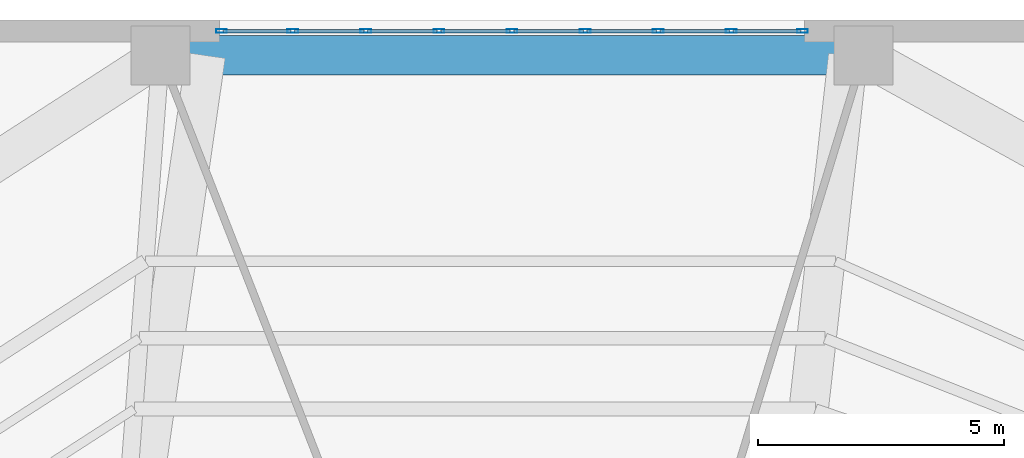
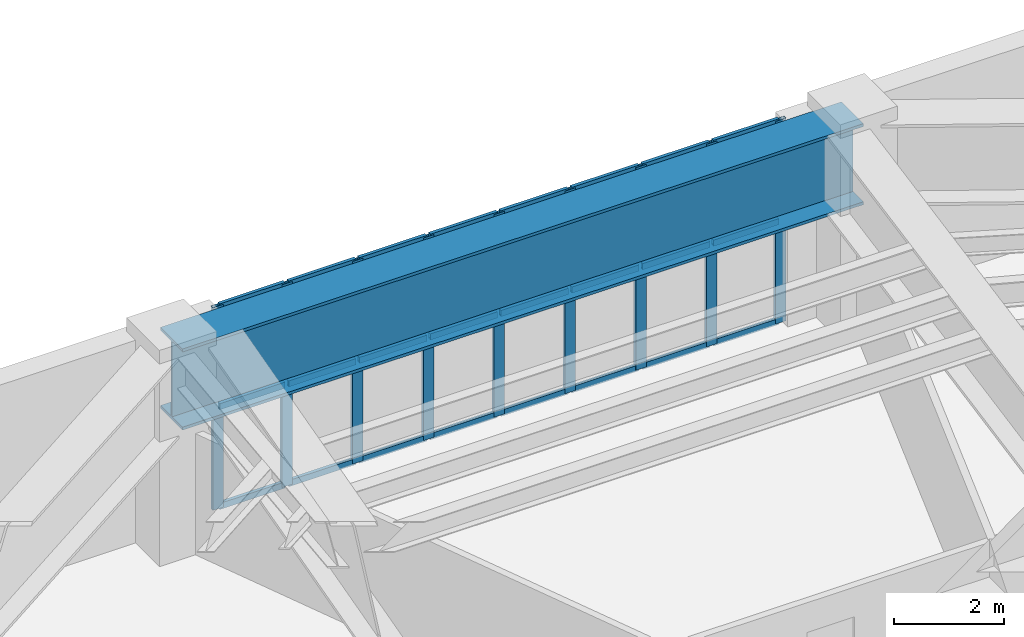
# One storey, part 13 of 22: 33 members, 1 beam, 1 element without a shape of its own.
"""IFC4 building model written with IfcOpenShell, lengths in metres."""

from ifc_helpers import new_model, si_unit, direction, frame, origin, origin_2d, place, context, subcontext, project, spatial, hollow_rectangle, i_section, extrude, material, layer, layer_set, material_profile, profile_set, type_object, element, aggregate, save


model = new_model("IFC4")

# Units and contexts
model_context = context("Model", 3, precision=1e-05, world=origin(), true_north=direction((0.0, 1.0)))
body_context = subcontext(model_context, "Body", "Model", "MODEL_VIEW")
ifc_project = project(units=[si_unit("LENGTHUNIT", "METRE"), si_unit("AREAUNIT", "SQUARE_METRE"), si_unit("VOLUMEUNIT", "CUBIC_METRE"), si_unit("PLANEANGLEUNIT", "RADIAN"), si_unit("MASSUNIT", "GRAM", prefix="KILO")], contexts=[model_context])

# Site, building, storey
site_placement = place(None, origin())
site = spatial("IfcSite", under=ifc_project, at=site_placement, CompositionType="ELEMENT")
building_placement = place(site_placement, origin())
building = spatial("IfcBuilding", under=site, at=building_placement, Name="Kilnhurst Terrace Hotel", CompositionType="ELEMENT")
storey_placement = place(building_placement, frame((0.0, 0.0, 139.5)))
storey = spatial("IfcBuildingStorey", under=building, at=storey_placement, Name="L34", CompositionType="ELEMENT", Elevation=139.5)

# Curtain wall, members
ifc_material_1 = material(Name="Anodized Aluminium Alloy 6063-T6 and Low-E Glass", Category="aluminium")
ifc_layer = layer(ifc_material_1, 0.219970703125, Name="Anodized Aluminium Alloy 6063-T6 and Low-E Glass")
ifc_layer_set = layer_set([ifc_layer], Name="Anodized Aluminium Alloy 6063-T6 and Low-E Glass")
curtain_wall_type = type_object("IfcCurtainWallType", Name="CW-SKY-L34", PredefinedType="NOTDEFINED", material=ifc_layer_set)
curtain_wall_placement = place(storey_placement, origin())
curtain_wall = element("IfcCurtainWall", 1, at=curtain_wall_placement, inside=storey, type_object=curtain_wall_type, Name="L34 Curtain Wall CW-L34-F4-1", PredefinedType="NOTDEFINED")
ifc_material_2 = material(Name="Extruded Aluminium Alloy 6063-T6", Category="aluminium")
ifc_material_profile_1 = material_profile(ifc_material_2, hollow_rectangle(XDim=0.074951171875, YDim=0.219970703125, WallThickness=0.00390625, at=origin_2d()), Name="CWM75X220")
ifc_profile_set_1 = profile_set([ifc_material_profile_1], Name="Extruded Aluminium Alloy 6063-T6")
member_type_1 = type_object("IfcMemberType", Name="MEM-CWM75X220", PredefinedType="MULLION", material=ifc_profile_set_1)
member_1_placement = place(storey_placement, frame((5.028564453125, 21.074951171875, 0.0), z_axis=(0.0, 0.0, 1.0), x_axis=(0.0, -1.0, 0.0)))
member_1 = element("IfcMember", 2, at=member_1_placement, type_object=member_type_1, Name="CWS-3 mullion 1", PredefinedType="MULLION", context=body_context, shape_type="SweptSolid", body=[
    extrude(hollow_rectangle(XDim=0.074951171875, YDim=0.219970703125, WallThickness=0.00390625, at=origin_2d()), origin(), (0.0, 0.0, 1.0), 4.5),
])
member_2_placement = place(storey_placement, frame((3.57958984375, 21.074951171875, 0.0), z_axis=(0.0, 0.0, 1.0), x_axis=(0.0, -1.0, 0.0)))
member_2 = element("IfcMember", 3, at=member_2_placement, type_object=member_type_1, Name="CWS-3 mullion 2", PredefinedType="MULLION", context=body_context, shape_type="SweptSolid", body=[
    extrude(hollow_rectangle(XDim=0.074951171875, YDim=0.219970703125, WallThickness=0.00390625, at=origin_2d()), origin(), (0.0, 0.0, 1.0), 4.5),
])
member_3_placement = place(storey_placement, frame((2.09326171875, 21.074951171875, 0.0), z_axis=(0.0, 0.0, 1.0), x_axis=(0.0, -1.0, 0.0)))
member_3 = element("IfcMember", 4, at=member_3_placement, type_object=member_type_1, Name="CWS-3 mullion 3", PredefinedType="MULLION", context=body_context, shape_type="SweptSolid", body=[
    extrude(hollow_rectangle(XDim=0.074951171875, YDim=0.219970703125, WallThickness=0.00390625, at=origin_2d()), origin(), (0.0, 0.0, 1.0), 4.5),
])
member_4_placement = place(storey_placement, frame((0.60693359375, 21.074951171875, 0.0), z_axis=(0.0, 0.0, 1.0), x_axis=(0.0, -1.0, 0.0)))
member_4 = element("IfcMember", 5, at=member_4_placement, type_object=member_type_1, Name="CWS-3 mullion 4", PredefinedType="MULLION", context=body_context, shape_type="SweptSolid", body=[
    extrude(hollow_rectangle(XDim=0.074951171875, YDim=0.219970703125, WallThickness=0.00390625, at=origin_2d()), origin(), (0.0, 0.0, 1.0), 4.5),
])
member_5_placement = place(storey_placement, frame((-0.87939453125, 21.074951171875, 0.0), z_axis=(0.0, 0.0, 1.0), x_axis=(0.0, -1.0, 0.0)))
member_5 = element("IfcMember", 6, at=member_5_placement, type_object=member_type_1, Name="CWS-3 mullion 5", PredefinedType="MULLION", context=body_context, shape_type="SweptSolid", body=[
    extrude(hollow_rectangle(XDim=0.074951171875, YDim=0.219970703125, WallThickness=0.00390625, at=origin_2d()), origin(), (0.0, 0.0, 1.0), 4.5),
])
member_6_placement = place(storey_placement, frame((-2.365966796875, 21.074951171875, 0.0), z_axis=(0.0, 0.0, 1.0), x_axis=(0.0, -1.0, 0.0)))
member_6 = element("IfcMember", 7, at=member_6_placement, type_object=member_type_1, Name="CWS-3 mullion 6", PredefinedType="MULLION", context=body_context, shape_type="SweptSolid", body=[
    extrude(hollow_rectangle(XDim=0.074951171875, YDim=0.219970703125, WallThickness=0.00390625, at=origin_2d()), origin(), (0.0, 0.0, 1.0), 4.5),
])
member_7_placement = place(storey_placement, frame((-3.852294921875, 21.074951171875, 0.0), z_axis=(0.0, 0.0, 1.0), x_axis=(0.0, -1.0, 0.0)))
member_7 = element("IfcMember", 8, at=member_7_placement, type_object=member_type_1, Name="CWS-3 mullion 7", PredefinedType="MULLION", context=body_context, shape_type="SweptSolid", body=[
    extrude(hollow_rectangle(XDim=0.074951171875, YDim=0.219970703125, WallThickness=0.00390625, at=origin_2d()), origin(), (0.0, 0.0, 1.0), 4.5),
])
member_8_placement = place(storey_placement, frame((-5.338623046875, 21.074951171875, 0.0), z_axis=(0.0, 0.0, 1.0), x_axis=(0.0, -1.0, 0.0)))
member_8 = element("IfcMember", 9, at=member_8_placement, type_object=member_type_1, Name="CWS-3 mullion 8", PredefinedType="MULLION", context=body_context, shape_type="SweptSolid", body=[
    extrude(hollow_rectangle(XDim=0.074951171875, YDim=0.219970703125, WallThickness=0.00390625, at=origin_2d()), origin(), (0.0, 0.0, 1.0), 4.5),
])
member_9_placement = place(storey_placement, frame((-6.78759765625, 21.074951171875, 0.0), z_axis=(0.0, 0.0, 1.0), x_axis=(0.0, -1.0, 0.0)))
member_9 = element("IfcMember", 10, at=member_9_placement, type_object=member_type_1, Name="CWS-3 mullion 9", PredefinedType="MULLION", context=body_context, shape_type="SweptSolid", body=[
    extrude(hollow_rectangle(XDim=0.074951171875, YDim=0.219970703125, WallThickness=0.00390625, at=origin_2d()), origin(), (0.0, 0.0, 1.0), 4.5),
])
ifc_material_profile_2 = material_profile(ifc_material_2, hollow_rectangle(XDim=0.070068359375, YDim=0.135009765625, WallThickness=0.00390625, at=origin_2d()), Name="CWT70X135")
ifc_profile_set_2 = profile_set([ifc_material_profile_2], Name="Extruded Aluminium Alloy 6063-T6")
member_type_2 = type_object("IfcMemberType", Name="MEM-CWT70X135", PredefinedType="USERDEFINED", material=ifc_profile_set_2)
member_10_placement = place(storey_placement, frame((4.990966796875, 21.074951171875, 0.034912109375), z_axis=(-1.0, 0.0, 0.0), x_axis=(0.0, -1.0, 0.0)))
member_10 = element("IfcMember", 11, at=member_10_placement, type_object=member_type_2, Name="CWS-3 transom 1.1", ObjectType="TRANSOM", PredefinedType="USERDEFINED", context=body_context, shape_type="SweptSolid", body=[
    extrude(hollow_rectangle(XDim=0.070068359375, YDim=0.135009765625, WallThickness=0.00390625, at=origin_2d()), origin(), (0.0, 0.0, 1.0), 1.373779296875),
])
member_11_placement = place(storey_placement, frame((4.990966796875, 21.074951171875, 2.25), z_axis=(-1.0, 0.0, 0.0), x_axis=(0.0, -1.0, 0.0)))
member_11 = element("IfcMember", 12, at=member_11_placement, type_object=member_type_2, Name="CWS-3 transom 1.2", ObjectType="TRANSOM", PredefinedType="USERDEFINED", context=body_context, shape_type="SweptSolid", body=[
    extrude(hollow_rectangle(XDim=0.070068359375, YDim=0.135009765625, WallThickness=0.00390625, at=origin_2d()), origin(), (0.0, 0.0, 1.0), 1.373779296875),
])
member_12_placement = place(storey_placement, frame((4.990966796875, 21.074951171875, 4.465087890625), z_axis=(-1.0, 0.0, 0.0), x_axis=(0.0, -1.0, 0.0)))
member_12 = element("IfcMember", 13, at=member_12_placement, type_object=member_type_2, Name="CWS-3 transom 1.3", ObjectType="TRANSOM", PredefinedType="USERDEFINED", context=body_context, shape_type="SweptSolid", body=[
    extrude(hollow_rectangle(XDim=0.070068359375, YDim=0.135009765625, WallThickness=0.00390625, at=origin_2d()), origin(), (0.0, 0.0, 1.0), 1.373779296875),
])
member_13_placement = place(storey_placement, frame((3.542236328125, 21.074951171875, 0.034912109375), z_axis=(-1.0, 0.0, 0.0), x_axis=(0.0, -1.0, 0.0)))
member_13 = element("IfcMember", 14, at=member_13_placement, type_object=member_type_2, Name="CWS-3 transom 2.1", ObjectType="TRANSOM", PredefinedType="USERDEFINED", context=body_context, shape_type="SweptSolid", body=[
    extrude(hollow_rectangle(XDim=0.070068359375, YDim=0.135009765625, WallThickness=0.00390625, at=origin_2d()), origin(), (0.0, 0.0, 1.0), 1.411376953125),
])
member_14_placement = place(storey_placement, frame((3.542236328125, 21.074951171875, 2.25), z_axis=(-1.0, 0.0, 0.0), x_axis=(0.0, -1.0, 0.0)))
member_14 = element("IfcMember", 15, at=member_14_placement, type_object=member_type_2, Name="CWS-3 transom 2.2", ObjectType="TRANSOM", PredefinedType="USERDEFINED", context=body_context, shape_type="SweptSolid", body=[
    extrude(hollow_rectangle(XDim=0.070068359375, YDim=0.135009765625, WallThickness=0.00390625, at=origin_2d()), origin(), (0.0, 0.0, 1.0), 1.411376953125),
])
member_15_placement = place(storey_placement, frame((3.542236328125, 21.074951171875, 4.465087890625), z_axis=(-1.0, 0.0, 0.0), x_axis=(0.0, -1.0, 0.0)))
member_15 = element("IfcMember", 16, at=member_15_placement, type_object=member_type_2, Name="CWS-3 transom 2.3", ObjectType="TRANSOM", PredefinedType="USERDEFINED", context=body_context, shape_type="SweptSolid", body=[
    extrude(hollow_rectangle(XDim=0.070068359375, YDim=0.135009765625, WallThickness=0.00390625, at=origin_2d()), origin(), (0.0, 0.0, 1.0), 1.411376953125),
])
member_16_placement = place(storey_placement, frame((2.0556640625, 21.074951171875, 0.034912109375), z_axis=(-1.0, 0.0, 0.0), x_axis=(0.0, -1.0, 0.0)))
member_16 = element("IfcMember", 17, at=member_16_placement, type_object=member_type_2, Name="CWS-3 transom 3.1", ObjectType="TRANSOM", PredefinedType="USERDEFINED", context=body_context, shape_type="SweptSolid", body=[
    extrude(hollow_rectangle(XDim=0.070068359375, YDim=0.135009765625, WallThickness=0.00390625, at=origin_2d()), origin(), (0.0, 0.0, 1.0), 1.411376953125),
])
member_17_placement = place(storey_placement, frame((2.0556640625, 21.074951171875, 2.25), z_axis=(-1.0, 0.0, 0.0), x_axis=(0.0, -1.0, 0.0)))
member_17 = element("IfcMember", 18, at=member_17_placement, type_object=member_type_2, Name="CWS-3 transom 3.2", ObjectType="TRANSOM", PredefinedType="USERDEFINED", context=body_context, shape_type="SweptSolid", body=[
    extrude(hollow_rectangle(XDim=0.070068359375, YDim=0.135009765625, WallThickness=0.00390625, at=origin_2d()), origin(), (0.0, 0.0, 1.0), 1.411376953125),
])
member_18_placement = place(storey_placement, frame((2.0556640625, 21.074951171875, 4.465087890625), z_axis=(-1.0, 0.0, 0.0), x_axis=(0.0, -1.0, 0.0)))
member_18 = element("IfcMember", 19, at=member_18_placement, type_object=member_type_2, Name="CWS-3 transom 3.3", ObjectType="TRANSOM", PredefinedType="USERDEFINED", context=body_context, shape_type="SweptSolid", body=[
    extrude(hollow_rectangle(XDim=0.070068359375, YDim=0.135009765625, WallThickness=0.00390625, at=origin_2d()), origin(), (0.0, 0.0, 1.0), 1.411376953125),
])
member_19_placement = place(storey_placement, frame((0.5693359375, 21.074951171875, 0.034912109375), z_axis=(-1.0, 0.0, 0.0), x_axis=(0.0, -1.0, 0.0)))
member_19 = element("IfcMember", 20, at=member_19_placement, type_object=member_type_2, Name="CWS-3 transom 4.1", ObjectType="TRANSOM", PredefinedType="USERDEFINED", context=body_context, shape_type="SweptSolid", body=[
    extrude(hollow_rectangle(XDim=0.070068359375, YDim=0.135009765625, WallThickness=0.00390625, at=origin_2d()), origin(), (0.0, 0.0, 1.0), 1.411376953125),
])
member_20_placement = place(storey_placement, frame((0.5693359375, 21.074951171875, 2.25), z_axis=(-1.0, 0.0, 0.0), x_axis=(0.0, -1.0, 0.0)))
member_20 = element("IfcMember", 21, at=member_20_placement, type_object=member_type_2, Name="CWS-3 transom 4.2", ObjectType="TRANSOM", PredefinedType="USERDEFINED", context=body_context, shape_type="SweptSolid", body=[
    extrude(hollow_rectangle(XDim=0.070068359375, YDim=0.135009765625, WallThickness=0.00390625, at=origin_2d()), origin(), (0.0, 0.0, 1.0), 1.411376953125),
])
member_21_placement = place(storey_placement, frame((0.5693359375, 21.074951171875, 4.465087890625), z_axis=(-1.0, 0.0, 0.0), x_axis=(0.0, -1.0, 0.0)))
member_21 = element("IfcMember", 22, at=member_21_placement, type_object=member_type_2, Name="CWS-3 transom 4.3", ObjectType="TRANSOM", PredefinedType="USERDEFINED", context=body_context, shape_type="SweptSolid", body=[
    extrude(hollow_rectangle(XDim=0.070068359375, YDim=0.135009765625, WallThickness=0.00390625, at=origin_2d()), origin(), (0.0, 0.0, 1.0), 1.411376953125),
])
member_22_placement = place(storey_placement, frame((-0.9169921875, 21.074951171875, 0.034912109375), z_axis=(-1.0, 0.0, 0.0), x_axis=(0.0, -1.0, 0.0)))
member_22 = element("IfcMember", 23, at=member_22_placement, type_object=member_type_2, Name="CWS-3 transom 5.1", ObjectType="TRANSOM", PredefinedType="USERDEFINED", context=body_context, shape_type="SweptSolid", body=[
    extrude(hollow_rectangle(XDim=0.070068359375, YDim=0.135009765625, WallThickness=0.00390625, at=origin_2d()), origin(), (0.0, 0.0, 1.0), 1.411376953125),
])
member_23_placement = place(storey_placement, frame((-0.9169921875, 21.074951171875, 2.25), z_axis=(-1.0, 0.0, 0.0), x_axis=(0.0, -1.0, 0.0)))
member_23 = element("IfcMember", 24, at=member_23_placement, type_object=member_type_2, Name="CWS-3 transom 5.2", ObjectType="TRANSOM", PredefinedType="USERDEFINED", context=body_context, shape_type="SweptSolid", body=[
    extrude(hollow_rectangle(XDim=0.070068359375, YDim=0.135009765625, WallThickness=0.00390625, at=origin_2d()), origin(), (0.0, 0.0, 1.0), 1.411376953125),
])
member_24_placement = place(storey_placement, frame((-0.9169921875, 21.074951171875, 4.465087890625), z_axis=(-1.0, 0.0, 0.0), x_axis=(0.0, -1.0, 0.0)))
member_24 = element("IfcMember", 25, at=member_24_placement, type_object=member_type_2, Name="CWS-3 transom 5.3", ObjectType="TRANSOM", PredefinedType="USERDEFINED", context=body_context, shape_type="SweptSolid", body=[
    extrude(hollow_rectangle(XDim=0.070068359375, YDim=0.135009765625, WallThickness=0.00390625, at=origin_2d()), origin(), (0.0, 0.0, 1.0), 1.411376953125),
])
member_25_placement = place(storey_placement, frame((-2.4033203125, 21.074951171875, 0.034912109375), z_axis=(-1.0, 0.0, 0.0), x_axis=(0.0, -1.0, 0.0)))
member_25 = element("IfcMember", 26, at=member_25_placement, type_object=member_type_2, Name="CWS-3 transom 6.1", ObjectType="TRANSOM", PredefinedType="USERDEFINED", context=body_context, shape_type="SweptSolid", body=[
    extrude(hollow_rectangle(XDim=0.070068359375, YDim=0.135009765625, WallThickness=0.00390625, at=origin_2d()), origin(), (0.0, 0.0, 1.0), 1.411376953125),
])
member_26_placement = place(storey_placement, frame((-2.4033203125, 21.074951171875, 2.25), z_axis=(-1.0, 0.0, 0.0), x_axis=(0.0, -1.0, 0.0)))
member_26 = element("IfcMember", 27, at=member_26_placement, type_object=member_type_2, Name="CWS-3 transom 6.2", ObjectType="TRANSOM", PredefinedType="USERDEFINED", context=body_context, shape_type="SweptSolid", body=[
    extrude(hollow_rectangle(XDim=0.070068359375, YDim=0.135009765625, WallThickness=0.00390625, at=origin_2d()), origin(), (0.0, 0.0, 1.0), 1.411376953125),
])
member_27_placement = place(storey_placement, frame((-2.4033203125, 21.074951171875, 4.465087890625), z_axis=(-1.0, 0.0, 0.0), x_axis=(0.0, -1.0, 0.0)))
member_27 = element("IfcMember", 28, at=member_27_placement, type_object=member_type_2, Name="CWS-3 transom 6.3", ObjectType="TRANSOM", PredefinedType="USERDEFINED", context=body_context, shape_type="SweptSolid", body=[
    extrude(hollow_rectangle(XDim=0.070068359375, YDim=0.135009765625, WallThickness=0.00390625, at=origin_2d()), origin(), (0.0, 0.0, 1.0), 1.411376953125),
])
member_28_placement = place(storey_placement, frame((-3.8896484375, 21.074951171875, 0.034912109375), z_axis=(-1.0, 0.0, 0.0), x_axis=(0.0, -1.0, 0.0)))
member_28 = element("IfcMember", 29, at=member_28_placement, type_object=member_type_2, Name="CWS-3 transom 7.1", ObjectType="TRANSOM", PredefinedType="USERDEFINED", context=body_context, shape_type="SweptSolid", body=[
    extrude(hollow_rectangle(XDim=0.070068359375, YDim=0.135009765625, WallThickness=0.00390625, at=origin_2d()), origin(), (0.0, 0.0, 1.0), 1.411376953125),
])
member_29_placement = place(storey_placement, frame((-3.8896484375, 21.074951171875, 2.25), z_axis=(-1.0, 0.0, 0.0), x_axis=(0.0, -1.0, 0.0)))
member_29 = element("IfcMember", 30, at=member_29_placement, type_object=member_type_2, Name="CWS-3 transom 7.2", ObjectType="TRANSOM", PredefinedType="USERDEFINED", context=body_context, shape_type="SweptSolid", body=[
    extrude(hollow_rectangle(XDim=0.070068359375, YDim=0.135009765625, WallThickness=0.00390625, at=origin_2d()), origin(), (0.0, 0.0, 1.0), 1.411376953125),
])
member_30_placement = place(storey_placement, frame((-3.8896484375, 21.074951171875, 4.465087890625), z_axis=(-1.0, 0.0, 0.0), x_axis=(0.0, -1.0, 0.0)))
member_30 = element("IfcMember", 31, at=member_30_placement, type_object=member_type_2, Name="CWS-3 transom 7.3", ObjectType="TRANSOM", PredefinedType="USERDEFINED", context=body_context, shape_type="SweptSolid", body=[
    extrude(hollow_rectangle(XDim=0.070068359375, YDim=0.135009765625, WallThickness=0.00390625, at=origin_2d()), origin(), (0.0, 0.0, 1.0), 1.411376953125),
])
member_31_placement = place(storey_placement, frame((-5.376220703125, 21.074951171875, 0.034912109375), z_axis=(-1.0, 0.0, 0.0), x_axis=(0.0, -1.0, 0.0)))
member_31 = element("IfcMember", 32, at=member_31_placement, type_object=member_type_2, Name="CWS-3 transom 8.1", ObjectType="TRANSOM", PredefinedType="USERDEFINED", context=body_context, shape_type="SweptSolid", body=[
    extrude(hollow_rectangle(XDim=0.070068359375, YDim=0.135009765625, WallThickness=0.00390625, at=origin_2d()), origin(), (0.0, 0.0, 1.0), 1.373779296875),
])
member_32_placement = place(storey_placement, frame((-5.376220703125, 21.074951171875, 2.25), z_axis=(-1.0, 0.0, 0.0), x_axis=(0.0, -1.0, 0.0)))
member_32 = element("IfcMember", 33, at=member_32_placement, type_object=member_type_2, Name="CWS-3 transom 8.2", ObjectType="TRANSOM", PredefinedType="USERDEFINED", context=body_context, shape_type="SweptSolid", body=[
    extrude(hollow_rectangle(XDim=0.070068359375, YDim=0.135009765625, WallThickness=0.00390625, at=origin_2d()), origin(), (0.0, 0.0, 1.0), 1.373779296875),
])
member_33_placement = place(storey_placement, frame((-5.376220703125, 21.074951171875, 4.465087890625), z_axis=(-1.0, 0.0, 0.0), x_axis=(0.0, -1.0, 0.0)))
member_33 = element("IfcMember", 34, at=member_33_placement, type_object=member_type_2, Name="CWS-3 transom 8.3", ObjectType="TRANSOM", PredefinedType="USERDEFINED", context=body_context, shape_type="SweptSolid", body=[
    extrude(hollow_rectangle(XDim=0.070068359375, YDim=0.135009765625, WallThickness=0.00390625, at=origin_2d()), origin(), (0.0, 0.0, 1.0), 1.373779296875),
])
aggregate(curtain_wall, [member_1, member_2, member_3, member_4, member_5, member_6, member_7, member_8, member_9, member_10, member_11, member_12, member_13, member_14, member_15, member_16, member_17, member_18, member_19, member_20, member_21, member_22, member_23, member_24, member_25, member_26, member_27, member_28, member_29, member_30, member_31, member_32, member_33])

# Beam
ifc_material_3 = material(Name="Steel ASTM A572 Grade 50", Category="steel")
ifc_material_profile_3 = material_profile(ifc_material_3, i_section(OverallWidth=0.800048828125, OverallDepth=1.800048828125, WebThickness=0.0400390625, FlangeThickness=0.06494140625, at=origin_2d()), Name="PG1800X800")
ifc_profile_set_3 = profile_set([ifc_material_profile_3], Name="Steel ASTM A572 Grade 50")
beam_type = type_object("IfcBeamType", Name="TG-STEP-1800", PredefinedType="USERDEFINED", material=ifc_profile_set_3)
beam_placement = place(storey_placement, frame((6.26806640625, 20.580078125, 3.60009765625), z_axis=(-1.0, 0.0, 0.0), x_axis=(0.0, -1.0, 0.0)))
element("IfcBeam", 35, at=beam_placement, inside=storey, type_object=beam_type, Name="L34 Zone Step Perimeter Transfer Girder 7", ObjectType="GIRDER", PredefinedType="USERDEFINED", context=body_context, shape_type="SweptSolid", body=[
    extrude(i_section(OverallWidth=0.800048828125, OverallDepth=1.800048828125, WebThickness=0.0400390625, FlangeThickness=0.06494140625, at=origin_2d()), origin(), (0.0, 0.0, 1.0), 14.296142578125),
])

save(model, "model.ifc")
